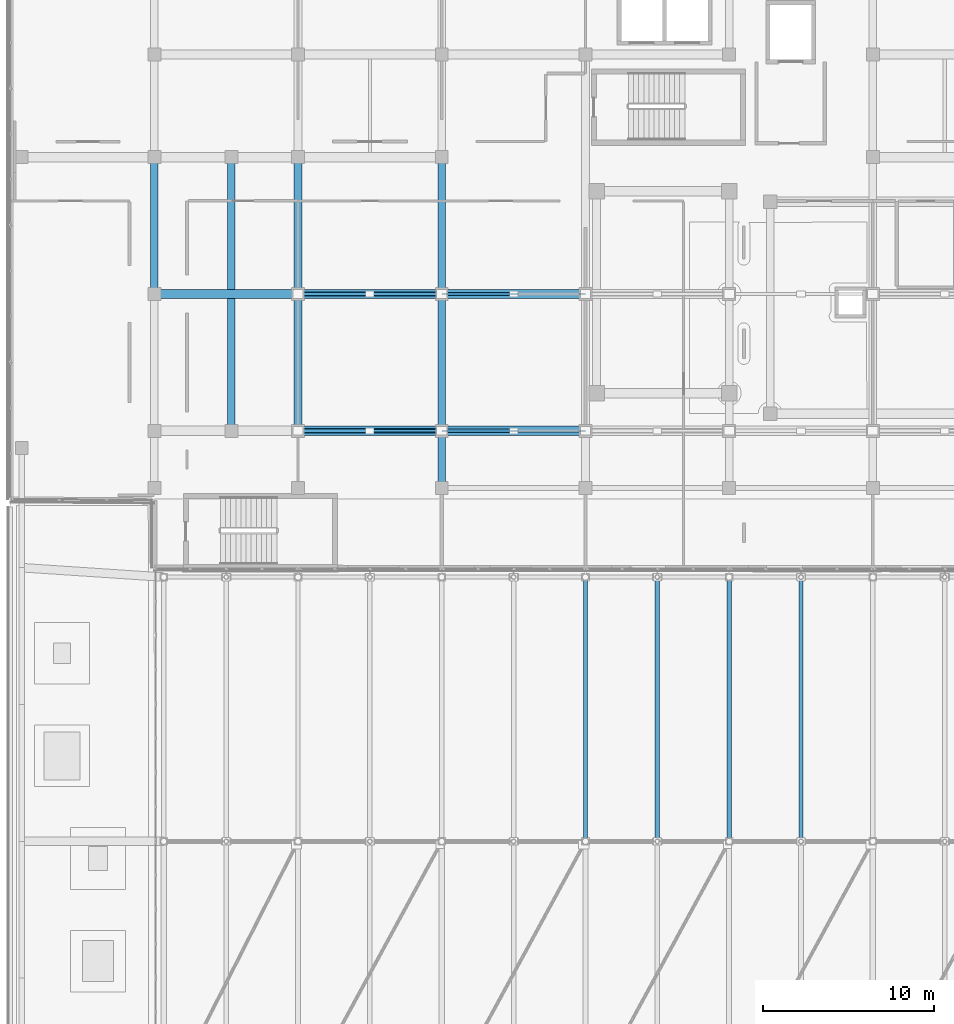
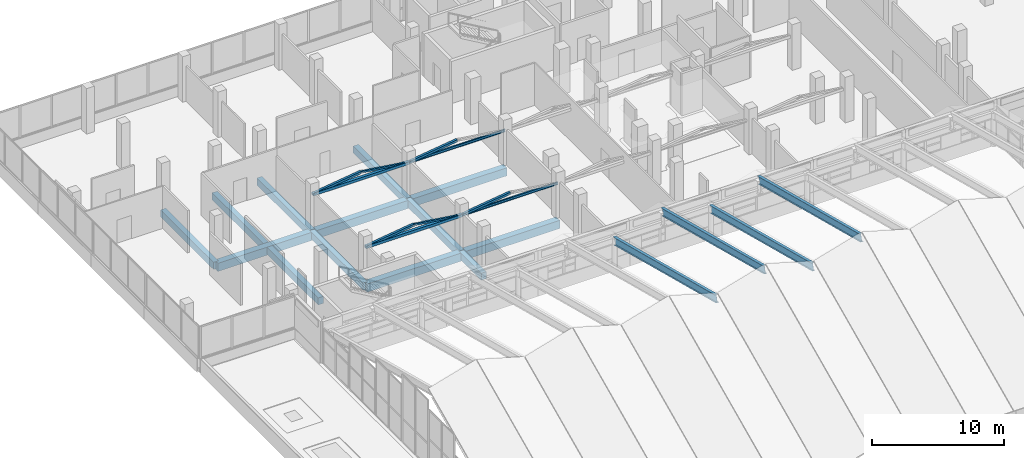
# One storey, part 83 of 184: 16 beams, 10 members.
"""IFC4 building model written with IfcOpenShell, lengths in metres."""

import ifcopenshell
import ifcopenshell.guid

model = None  # the IFC model being written
_history = None  # IfcOwnerHistory: only IFC2X3 demands one
_inside = {}  # id of a spatial element -> (the spatial element, [elements in it])
_under = {}  # id of a project, library or spatial element -> (it, [spatial elements below it])
_declared = {}  # id of a project -> (the project, [libraries it declares])
_typed = {}  # id of a type object -> (the type object, [elements of that type])
_made_of = {}  # id of a material, layer set ... -> (it, [elements and type objects made of it])


def new_model(schema):
    """Start an empty IFC model of exactly this schema.

    Asked for "IFC4X3", IfcOpenShell would pick the latest addendum, in which some entities
    have other attributes; the version numbers below select the first issue.
    IFC2X3 requires an IfcOwnerHistory on every rooted entity: one is made here for all.
    """
    global model, _history
    if schema == "IFC4X3":
        model = ifcopenshell.file(schema_version=(4, 3, 0, 0))
    else:
        model = ifcopenshell.file(schema=schema)
    _inside.clear()
    _under.clear()
    _declared.clear()
    _typed.clear()
    _made_of.clear()
    _history = None
    if model.schema == "IFC2X3":
        org = make("IfcOrganization", Name="unknown")
        user = make(
            "IfcPersonAndOrganization",
            ThePerson=make("IfcPerson", FamilyName="unknown"),
            TheOrganization=org,
        )
        app = make(
            "IfcApplication",
            ApplicationDeveloper=org,
            Version="unknown",
            ApplicationFullName="unknown",
            ApplicationIdentifier="unknown",
        )
        _history = make(
            "IfcOwnerHistory",
            OwningUser=user,
            OwningApplication=app,
            ChangeAction="ADDED",
            CreationDate=0,
        )
    return model


def make(cls, **values):
    """One entity of the class cls with the attributes given. An attribute that is None is left unset."""
    return model.create_entity(
        cls, **{name: value for name, value in values.items() if value is not None}
    )


def rooted(cls, **values):
    """An entity with a GlobalId (a new one), such as an element, a storey or a relation."""
    return make(cls, GlobalId=ifcopenshell.guid.new(), OwnerHistory=_history, **values)


def si_unit(unit_type, name, prefix=None):
    """IfcSIUnit, for example si_unit("LENGTHUNIT", "METRE", prefix="MILLI")."""
    return make("IfcSIUnit", UnitType=unit_type, Prefix=prefix, Name=name)


def assignment(units):
    """IfcUnitAssignment: the units of a project."""
    return None if units is None else make("IfcUnitAssignment", Units=units)


def point(xyz):
    """IfcCartesianPoint."""
    return None if xyz is None else make("IfcCartesianPoint", Coordinates=xyz)


def direction(xyz):
    """IfcDirection."""
    return None if xyz is None else make("IfcDirection", DirectionRatios=xyz)


def frame(location, z_axis=None, x_axis=None):
    """IfcAxis2Placement3D, a coordinate frame: its origin and axes. An axis left out is left unset."""
    return make(
        "IfcAxis2Placement3D",
        Location=point(location),
        Axis=direction(z_axis),
        RefDirection=direction(x_axis),
    )


def frame_2d(location, x_axis=None):
    """IfcAxis2Placement2D, a coordinate frame in the plane: its origin and x axis."""
    return make(
        "IfcAxis2Placement2D", Location=point(location), RefDirection=direction(x_axis)
    )


def origin():
    """The frame at (0, 0, 0) with its axes left unset."""
    return frame((0.0, 0.0, 0.0))


def origin_2d():
    """The frame at (0, 0) in the plane with its x axis left unset."""
    return frame_2d((0.0, 0.0))


def place(relative_to, where):
    """IfcLocalPlacement: puts the frame where relative to a parent placement (None: the world)."""
    return make(
        "IfcLocalPlacement", PlacementRelTo=relative_to, RelativePlacement=where
    )


def context(
    kind, dimensions, precision=None, world=None, true_north=None, identifier=None
):
    """IfcGeometricRepresentationContext, for example the 3D "Model" context."""
    return make(
        "IfcGeometricRepresentationContext",
        ContextIdentifier=identifier,
        ContextType=kind,
        CoordinateSpaceDimension=dimensions,
        Precision=precision,
        WorldCoordinateSystem=world,
        TrueNorth=true_north,
    )


def subcontext(parent, identifier, kind, view, scale=None):
    """IfcGeometricRepresentationSubContext, for example "Body" below "Model"."""
    return make(
        "IfcGeometricRepresentationSubContext",
        ContextIdentifier=identifier,
        ContextType=kind,
        ParentContext=parent,
        TargetScale=scale,
        TargetView=view,
    )


def project(units=None, contexts=None):
    """IfcProject with its units and contexts."""
    return rooted(
        "IfcProject",
        Name="project",
        RepresentationContexts=contexts,
        UnitsInContext=assignment(units),
    )


def spatial(cls, under=None, at=None, **own):
    """A site, building, storey or space (cls), placed at a placement, below another one or the project."""
    s = rooted(cls, ObjectPlacement=at, **own)
    if under is not None:
        _under.setdefault(under.id(), (under, []))[1].append(s)
    return s


def profile(cls, at=None, kind="AREA", **sizes):
    """A parametric profile (cls). Its sizes go by their IFC names, for example OverallWidth=200.0."""
    return make(cls, ProfileType=kind, Position=at, **sizes)


def rectangle(**sizes):
    """IfcRectangleProfileDef."""
    return profile("IfcRectangleProfileDef", **sizes)


def hollow_rectangle(**sizes):
    """IfcRectangleHollowProfileDef."""
    return profile("IfcRectangleHollowProfileDef", **sizes)


def i_section(**sizes):
    """IfcIShapeProfileDef."""
    return profile("IfcIShapeProfileDef", **sizes)


def extrude(swept, where, along, depth):
    """IfcExtrudedAreaSolid: the profile swept, set in the frame where, extruded along a direction by depth."""
    return make(
        "IfcExtrudedAreaSolid",
        SweptArea=swept,
        Position=where,
        ExtrudedDirection=direction(along),
        Depth=depth,
    )


def shape(context_of_items, identifier, shape_type, items):
    """IfcShapeRepresentation: the items that make up one representation, for example the "Body"."""
    return make(
        "IfcShapeRepresentation",
        ContextOfItems=context_of_items,
        RepresentationIdentifier=identifier,
        RepresentationType=shape_type,
        Items=items,
    )


def material(Name=None, Category=None):
    """IfcMaterial."""
    return make("IfcMaterial", Name=Name, Category=Category)


def material_profile(
    of_material, cross_section, Name=None, Category=None, Priority=None
):
    """IfcMaterialProfile: a cross section and its material."""
    return make(
        "IfcMaterialProfile",
        Name=Name,
        Material=of_material,
        Profile=cross_section,
        Priority=Priority,
        Category=Category,
    )


def profile_set(profiles, Name=None, composite=None):
    """IfcMaterialProfileSet."""
    return make(
        "IfcMaterialProfileSet",
        Name=Name,
        MaterialProfiles=profiles,
        CompositeProfile=composite,
    )


def made_of(thing, what):
    """Note that an element or type object is made of a material, layer set ...; save() writes the relation."""
    if what is not None:
        _made_of.setdefault(what.id(), (what, []))[1].append(thing)
    return thing


def type_object(cls, material=None, **own):
    """A type object (cls), such as IfcWallType, which elements share."""
    return made_of(rooted(cls, **own), material)


def element(
    cls,
    number,
    at=None,
    inside=None,
    cuts=None,
    type_object=None,
    material=None,
    context=None,
    identifier="Body",
    shape_type=None,
    held_by="IfcProductDefinitionShape",
    body=None,
    shapes=None,
    **own,
):
    """One element of the class cls, such as IfcWall. Its Tag is "e" and its number.

    at: its placement. inside: the storey or other place that contains it. cuts: it is an
    opening in that element (IfcRelVoidsElement). A single representation is given by context,
    identifier, shape_type and body (its items); several are given by shapes. held_by: the class
    of the entity that holds the representations. save() writes the other relations.
    """
    e = rooted(cls, Tag="e%d" % number, ObjectPlacement=at, **own)
    if body is not None:
        shapes = [shape(context, identifier, shape_type, body)]
    if shapes is not None:
        e.Representation = make(held_by, Representations=shapes)
    if inside is not None:
        _inside.setdefault(inside.id(), (inside, []))[1].append(e)
    if cuts is not None:
        rooted(
            "IfcRelVoidsElement", RelatingBuildingElement=cuts, RelatedOpeningElement=e
        )
    if type_object is not None:
        _typed.setdefault(type_object.id(), (type_object, []))[1].append(e)
    return made_of(e, material)


def aggregate(whole, parts):
    """IfcRelAggregates: a whole, such as a stair, and the parts it consists of."""
    return rooted("IfcRelAggregates", RelatingObject=whole, RelatedObjects=parts)


def save(model, path):
    """Write the relations noted so far, then the file.

    IfcRelAggregates (storeys below a building ...), IfcRelContainedInSpatialStructure (elements
    in a storey), IfcRelDefinesByType, IfcRelAssociatesMaterial and IfcRelDeclares: one each for
    every whole, place, type object, material and project.
    """
    for whole, parts in _under.values():
        aggregate(whole, parts)
    for where, things in _inside.values():
        rooted(
            "IfcRelContainedInSpatialStructure",
            RelatedElements=things,
            RelatingStructure=where,
        )
    for kind, things in _typed.values():
        rooted("IfcRelDefinesByType", RelatedObjects=things, RelatingType=kind)
    for what, things in _made_of.values():
        rooted("IfcRelAssociatesMaterial", RelatedObjects=things, RelatingMaterial=what)
    for by, libraries in _declared.values():
        rooted("IfcRelDeclares", RelatingContext=by, RelatedDefinitions=libraries)
    model.write(path)


model = new_model("IFC4")

# Units and contexts
model_context = context("Model", 3, precision=1e-05, world=origin(), true_north=direction((0.0, 1.0)))
body_context = subcontext(model_context, "Body", "Model", "MODEL_VIEW")
ifc_project = project(units=[si_unit("LENGTHUNIT", "METRE"), si_unit("AREAUNIT", "SQUARE_METRE"), si_unit("VOLUMEUNIT", "CUBIC_METRE"), si_unit("PLANEANGLEUNIT", "RADIAN"), si_unit("MASSUNIT", "GRAM", prefix="KILO")], contexts=[model_context])

# Site, building, storey
site_placement = place(None, origin())
site = spatial("IfcSite", under=ifc_project, at=site_placement, CompositionType="ELEMENT")
building_placement = place(site_placement, origin())
building = spatial("IfcBuilding", under=site, at=building_placement, Name="Selatvlak General Hospital", CompositionType="ELEMENT")
storey_placement = place(building_placement, frame((0.0, 0.0, 15.0)))
storey = spatial("IfcBuildingStorey", under=building, at=storey_placement, Name="L03", CompositionType="ELEMENT", Elevation=15.0)

# Beams
ifc_material_1 = material(Name="Concrete C40/50", Category="concrete")
ifc_material_profile_1 = material_profile(ifc_material_1, rectangle(XDim=0.550048828125, YDim=0.75, at=origin_2d()), Name="RC-BM 550x750")
ifc_profile_set_1 = profile_set([ifc_material_profile_1], Name="Concrete C40/50")
beam_type_1 = type_object("IfcBeamType", Name="BM-G02", PredefinedType="BEAM", material=ifc_profile_set_1)
beam_1_placement = place(storey_placement, frame((31.199951171875, 92.0, -0.715087890625), z_axis=(1.0, 0.0, 0.0), x_axis=(0.0, 1.0, 0.0)))
element("IfcBeam", 1, at=beam_1_placement, inside=storey, type_object=beam_type_1, Name="Beam BMR-L03-1204", PredefinedType="BEAM", context=body_context, shape_type="SweptSolid", body=[
    extrude(rectangle(XDim=0.550048828125, YDim=0.75, at=origin_2d()), origin(), (0.0, 0.0, 1.0), 8.400146484375),
])
for number, where, z_axis, x_axis, name in (
    (2, (39.60009765625, 92.0, -0.715087890625), (1.0, 0.0, 0.0), (0.0, 1.0, 0.0), "Beam BMR-L03-1205"),
    (3, (22.800048828125, 100.0, -0.715087890625), (1.0, 0.0, 0.0), (0.0, 1.0, 0.0), "Beam BMR-L03-1226"),
):
    element("IfcBeam", number, at=place(storey_placement, frame(where, z_axis=z_axis, x_axis=x_axis)), inside=storey, type_object=beam_type_1, Name=name, PredefinedType="BEAM", context=body_context, shape_type="SweptSolid", body=[
        extrude(rectangle(XDim=0.550048828125, YDim=0.75, at=origin_2d()), origin(), (0.0, 0.0, 1.0), 8.39990234375),
    ])
beam_2_placement = place(storey_placement, frame((31.199951171875, 100.0, -0.715087890625), z_axis=(1.0, 0.0, 0.0), x_axis=(0.0, 1.0, 0.0)))
element("IfcBeam", 4, at=beam_2_placement, inside=storey, type_object=beam_type_1, Name="Beam BMR-L03-1227", PredefinedType="BEAM", context=body_context, shape_type="SweptSolid", body=[
    extrude(rectangle(XDim=0.550048828125, YDim=0.75, at=origin_2d()), origin(), (0.0, 0.0, 1.0), 8.400146484375),
])
beam_3_placement = place(storey_placement, frame((39.60009765625, 100.0, -0.715087890625), z_axis=(1.0, 0.0, 0.0), x_axis=(0.0, 1.0, 0.0)))
element("IfcBeam", 5, at=beam_3_placement, inside=storey, type_object=beam_type_1, Name="Beam BMR-L03-1228", PredefinedType="BEAM", context=body_context, shape_type="SweptSolid", body=[
    extrude(rectangle(XDim=0.550048828125, YDim=0.75, at=origin_2d()), origin(), (0.0, 0.0, 1.0), 8.39990234375),
])
ifc_material_profile_2 = material_profile(ifc_material_1, rectangle(XDim=0.449951171875, YDim=0.64990234375, at=origin_2d()), Name="RC-BM 450x650")
ifc_profile_set_2 = profile_set([ifc_material_profile_2], Name="Concrete C40/50")
beam_type_2 = type_object("IfcBeamType", Name="BM-G04", PredefinedType="BEAM", material=ifc_profile_set_2)
beam_4_placement = place(storey_placement, frame((22.800048828125, 100.0, -0.6650390625), z_axis=(0.0, 1.0, 0.0), x_axis=(-1.0, 0.0, 0.0)))
element("IfcBeam", 6, at=beam_4_placement, inside=storey, type_object=beam_type_2, Name="Beam BMR-L03-1298", PredefinedType="BEAM", context=body_context, shape_type="SweptSolid", body=[
    extrude(rectangle(XDim=0.449951171875, YDim=0.64990234375, at=origin_2d()), origin(), (0.0, 0.0, 1.0), 8.0),
])
beam_5_placement = place(storey_placement, frame((27.300048828125, 92.0, -0.6650390625), z_axis=(0.0, 1.0, 0.0), x_axis=(-1.0, 0.0, 0.0)))
element("IfcBeam", 7, at=beam_5_placement, inside=storey, type_object=beam_type_2, Name="Beam BMR-L03-1301", PredefinedType="BEAM", context=body_context, shape_type="SweptSolid", body=[
    extrude(rectangle(XDim=0.449951171875, YDim=0.64990234375, at=origin_2d()), origin(), (0.0, 0.0, 1.0), 16.0),
])
for number, where, z_axis, x_axis, name in (
    (8, (31.199951171875, 92.0, -0.6650390625), (0.0, 1.0, 0.0), (-1.0, 0.0, 0.0), "Beam BMR-L03-1302"),
    (9, (31.199951171875, 100.0, -0.6650390625), (0.0, 1.0, 0.0), (-1.0, 0.0, 0.0), "Beam BMR-L03-1303"),
):
    element("IfcBeam", number, at=place(storey_placement, frame(where, z_axis=z_axis, x_axis=x_axis)), inside=storey, type_object=beam_type_2, Name=name, PredefinedType="BEAM", context=body_context, shape_type="SweptSolid", body=[
        extrude(rectangle(XDim=0.449951171875, YDim=0.64990234375, at=origin_2d()), origin(), (0.0, 0.0, 1.0), 8.0),
    ])
beam_6_placement = place(storey_placement, frame((39.60009765625, 88.64990234375, -0.6650390625), z_axis=(0.0, 1.0, 0.0), x_axis=(-1.0, 0.0, 0.0)))
element("IfcBeam", 10, at=beam_6_placement, inside=storey, type_object=beam_type_2, Name="Beam BMR-L03-1306", PredefinedType="BEAM", context=body_context, shape_type="SweptSolid", body=[
    extrude(rectangle(XDim=0.449951171875, YDim=0.64990234375, at=origin_2d()), origin(), (0.0, 0.0, 1.0), 3.35009765625),
])
for number, where, z_axis, x_axis, name in (
    (11, (39.60009765625, 92.0, -0.6650390625), (0.0, 1.0, 0.0), (-1.0, 0.0, 0.0), "Beam BMR-L03-1307"),
    (12, (39.60009765625, 100.0, -0.6650390625), (0.0, 1.0, 0.0), (-1.0, 0.0, 0.0), "Beam BMR-L03-1308"),
):
    element("IfcBeam", number, at=place(storey_placement, frame(where, z_axis=z_axis, x_axis=x_axis)), inside=storey, type_object=beam_type_2, Name=name, PredefinedType="BEAM", context=body_context, shape_type="SweptSolid", body=[
        extrude(rectangle(XDim=0.449951171875, YDim=0.64990234375, at=origin_2d()), origin(), (0.0, 0.0, 1.0), 8.0),
    ])
ifc_material_2 = material(Name="Steel S355", Category="steel")
ifc_material_profile_3 = material_profile(ifc_material_2, i_section(OverallWidth=0.253662109375, OverallDepth=0.68359375, WebThickness=0.012451171875, FlangeThickness=0.01904296875, at=origin_2d()), Name="UB 686x254x140")
ifc_profile_set_3 = profile_set([ifc_material_profile_3], Name="Steel S355")
beam_type_3 = type_object("IfcBeamType", Name="BM-RF3", PredefinedType="BEAM", material=ifc_profile_set_3)
for number, where, z_axis, x_axis, name in (
    (13, (48.0, 68.0, 6.8330078125), (0.0, 0.968081216491, -0.250636705766), (-1.0, 0.0, 0.0), "Folded roof north rafter 7"),
    (14, (52.199951171875, 68.0, 8.032958984375), (0.0, 0.968081216491, -0.250636705766), (-1.0, 0.0, 0.0), "Folded roof north rafter 8"),
    (15, (56.39990234375, 68.0, 6.8330078125), (0.0, 0.968081216491, -0.250636705766), (-1.0, 0.0, 0.0), "Folded roof north rafter 9"),
    (16, (60.60009765625, 68.0, 8.032958984375), (0.0, 0.968081216491, -0.250636705766), (-1.0, 0.0, 0.0), "Folded roof north rafter 10"),
):
    element("IfcBeam", number, at=place(storey_placement, frame(where, z_axis=z_axis, x_axis=x_axis)), inside=storey, type_object=beam_type_3, Name=name, PredefinedType="BEAM", context=body_context, shape_type="SweptSolid", body=[
        extrude(i_section(OverallWidth=0.253662109375, OverallDepth=0.68359375, WebThickness=0.012451171875, FlangeThickness=0.01904296875, at=origin_2d()), origin(), (0.0, 0.0, 1.0), 15.95947265625),
    ])

# Members
ifc_material_profile_4 = material_profile(ifc_material_2, hollow_rectangle(XDim=0.199951171875, YDim=0.199951171875, WallThickness=0.010009765625, at=origin_2d()), Name="SHS 200x200x10")
ifc_profile_set_4 = profile_set([ifc_material_profile_4], Name="Steel S355")
member_type_1 = type_object("IfcMemberType", Name="MEM-BR3", PredefinedType="BRACE", material=ifc_profile_set_4)
for number, where, z_axis, x_axis, name in (
    (17, (31.199951171875, 92.0, 2.949951171875), (0.990913750562, 0.0, 0.134498843665), (0.0, 1.0, 0.0), "L03 interstitial web diagonal 1L"),
    (18, (31.199951171875, 100.0, 2.949951171875), (0.990913750562, 0.0, 0.134498843665), (0.0, 1.0, 0.0), "L03 interstitial web diagonal 1L"),
    (19, (39.60009765625, 92.0, 2.949951171875), (0.990913750562, 0.0, 0.134498843665), (0.0, 1.0, 0.0), "L03 interstitial web diagonal 2L"),
    (20, (39.60009765625, 100.0, 2.949951171875), (0.990913750562, 0.0, 0.134498843665), (0.0, 1.0, 0.0), "L03 interstitial web diagonal 2L"),
):
    element("IfcMember", number, at=place(storey_placement, frame(where, z_axis=z_axis, x_axis=x_axis)), inside=storey, type_object=member_type_1, Name=name, PredefinedType="BRACE", context=body_context, shape_type="SweptSolid", body=[
        extrude(hollow_rectangle(XDim=0.199951171875, YDim=0.199951171875, WallThickness=0.010009765625, at=origin_2d()), origin(), (0.0, 0.0, 1.0), 4.238525390625),
    ])
ifc_material_profile_5 = material_profile(ifc_material_2, hollow_rectangle(XDim=0.14990234375, YDim=0.14990234375, WallThickness=0.008056640625, at=origin_2d()), Name="SHS 150x150x8")
ifc_profile_set_5 = profile_set([ifc_material_profile_5], Name="Steel S355")
member_type_2 = type_object("IfcMemberType", Name="MEM-BR4", PredefinedType="BRACE", material=ifc_profile_set_5)
for number, where, z_axis, x_axis, name in (
    (21, (35.39990234375, 92.0, 3.52001953125), (0.990914792475, 0.0, -0.134491167195), (0.0, 1.0, 0.0), "L03 interstitial web diagonal 1R"),
    (22, (35.39990234375, 100.0, 3.52001953125), (0.990914792475, 0.0, -0.134491167195), (0.0, 1.0, 0.0), "L03 interstitial web diagonal 1R"),
):
    element("IfcMember", number, at=place(storey_placement, frame(where, z_axis=z_axis, x_axis=x_axis)), inside=storey, type_object=member_type_2, Name=name, PredefinedType="BRACE", context=body_context, shape_type="SweptSolid", body=[
        extrude(hollow_rectangle(XDim=0.14990234375, YDim=0.14990234375, WallThickness=0.008056640625, at=origin_2d()), origin(), (0.0, 0.0, 1.0), 4.23876953125),
    ])
ifc_material_profile_6 = material_profile(ifc_material_2, hollow_rectangle(XDim=0.25, YDim=0.25, WallThickness=0.012451171875, at=origin_2d()), Name="SHS 250x250x12.5")
ifc_profile_set_6 = profile_set([ifc_material_profile_6], Name="Steel S355")
member_type_3 = type_object("IfcMemberType", Name="MEM-CH2", PredefinedType="CHORD", material=ifc_profile_set_6)
for number, where, z_axis, x_axis, name in (
    (23, (31.199951171875, 92.0, 2.949951171875), (1.0, 0.0, 0.0), (0.0, 1.0, 0.0), "L03 interstitial bottom chord 1-92"),
    (24, (31.199951171875, 100.0, 2.949951171875), (1.0, 0.0, 0.0), (0.0, 1.0, 0.0), "L03 interstitial bottom chord 1-100"),
):
    element("IfcMember", number, at=place(storey_placement, frame(where, z_axis=z_axis, x_axis=x_axis)), inside=storey, type_object=member_type_3, Name=name, PredefinedType="CHORD", context=body_context, shape_type="SweptSolid", body=[
        extrude(hollow_rectangle(XDim=0.25, YDim=0.25, WallThickness=0.012451171875, at=origin_2d()), origin(), (0.0, 0.0, 1.0), 8.400146484375),
    ])
ifc_material_profile_7 = material_profile(ifc_material_2, i_section(OverallWidth=0.1201171875, OverallDepth=0.239990234375, WebThickness=0.006103515625, FlangeThickness=0.009765625, at=origin_2d()), Name="IPE 240")
ifc_profile_set_7 = profile_set([ifc_material_profile_7], Name="Steel S355")
member_type_4 = type_object("IfcMemberType", Name="MEM-CH3", PredefinedType="CHORD", material=ifc_profile_set_7)
for number, where, z_axis, x_axis, name in (
    (25, (39.60009765625, 92.0, 2.949951171875), (1.0, 0.0, 0.0), (0.0, 1.0, 0.0), "L03 interstitial bottom chord 2-92"),
    (26, (39.60009765625, 100.0, 2.949951171875), (1.0, 0.0, 0.0), (0.0, 1.0, 0.0), "L03 interstitial bottom chord 2-100"),
):
    element("IfcMember", number, at=place(storey_placement, frame(where, z_axis=z_axis, x_axis=x_axis)), inside=storey, type_object=member_type_4, Name=name, PredefinedType="CHORD", context=body_context, shape_type="SweptSolid", body=[
        extrude(i_section(OverallWidth=0.1201171875, OverallDepth=0.239990234375, WebThickness=0.006103515625, FlangeThickness=0.009765625, at=origin_2d()), origin(), (0.0, 0.0, 1.0), 8.39990234375),
    ])

save(model, "model.ifc")
